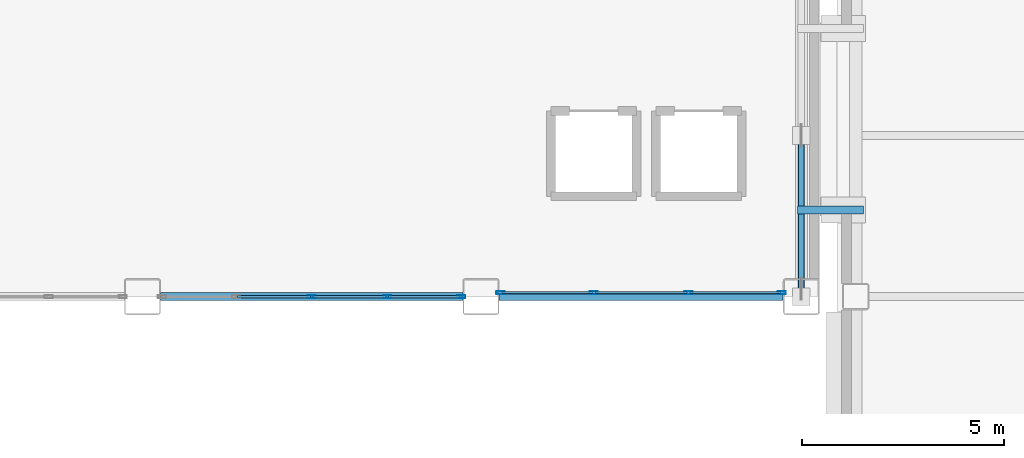
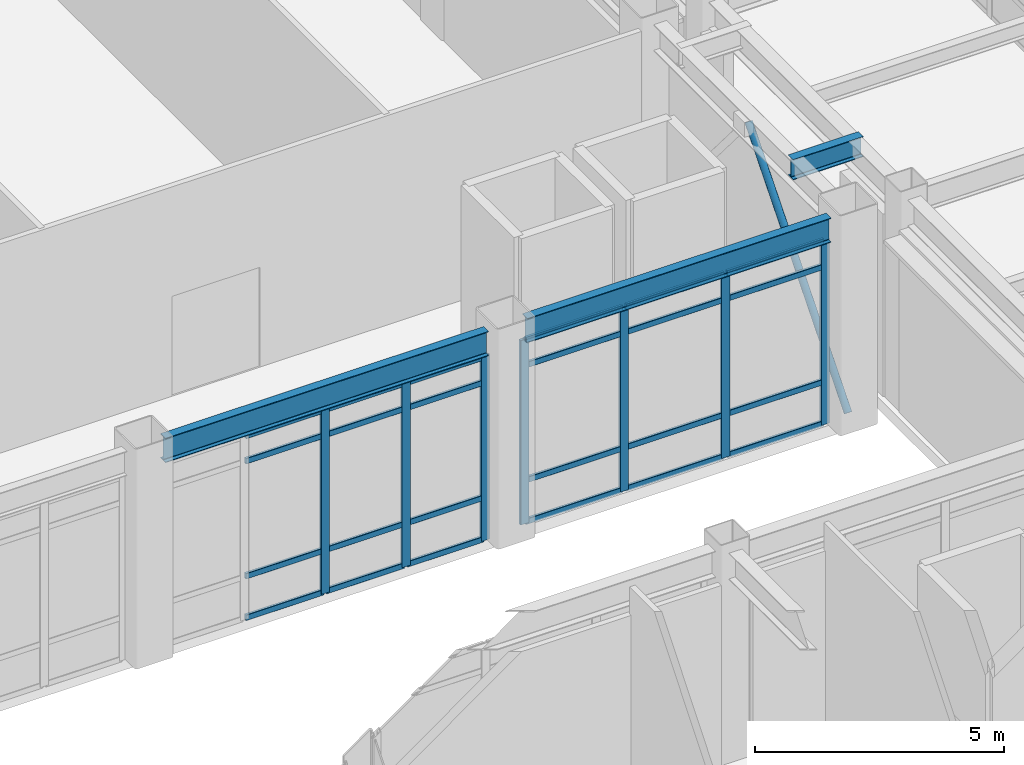
# One storey, part 32 of 165: 32 members, 3 beams, 2 elements without a shape of their own.
"""IFC4 building model written with IfcOpenShell, lengths in metres."""

import ifcopenshell
import ifcopenshell.guid

model = None  # the IFC model being written
_history = None  # IfcOwnerHistory: only IFC2X3 demands one
_inside = {}  # id of a spatial element -> (the spatial element, [elements in it])
_under = {}  # id of a project, library or spatial element -> (it, [spatial elements below it])
_declared = {}  # id of a project -> (the project, [libraries it declares])
_typed = {}  # id of a type object -> (the type object, [elements of that type])
_made_of = {}  # id of a material, layer set ... -> (it, [elements and type objects made of it])


def new_model(schema):
    """Start an empty IFC model of exactly this schema.

    Asked for "IFC4X3", IfcOpenShell would pick the latest addendum, in which some entities
    have other attributes; the version numbers below select the first issue.
    IFC2X3 requires an IfcOwnerHistory on every rooted entity: one is made here for all.
    """
    global model, _history
    if schema == "IFC4X3":
        model = ifcopenshell.file(schema_version=(4, 3, 0, 0))
    else:
        model = ifcopenshell.file(schema=schema)
    _inside.clear()
    _under.clear()
    _declared.clear()
    _typed.clear()
    _made_of.clear()
    _history = None
    if model.schema == "IFC2X3":
        org = make("IfcOrganization", Name="unknown")
        user = make(
            "IfcPersonAndOrganization",
            ThePerson=make("IfcPerson", FamilyName="unknown"),
            TheOrganization=org,
        )
        app = make(
            "IfcApplication",
            ApplicationDeveloper=org,
            Version="unknown",
            ApplicationFullName="unknown",
            ApplicationIdentifier="unknown",
        )
        _history = make(
            "IfcOwnerHistory",
            OwningUser=user,
            OwningApplication=app,
            ChangeAction="ADDED",
            CreationDate=0,
        )
    return model


def make(cls, **values):
    """One entity of the class cls with the attributes given. An attribute that is None is left unset."""
    return model.create_entity(
        cls, **{name: value for name, value in values.items() if value is not None}
    )


def rooted(cls, **values):
    """An entity with a GlobalId (a new one), such as an element, a storey or a relation."""
    return make(cls, GlobalId=ifcopenshell.guid.new(), OwnerHistory=_history, **values)


def si_unit(unit_type, name, prefix=None):
    """IfcSIUnit, for example si_unit("LENGTHUNIT", "METRE", prefix="MILLI")."""
    return make("IfcSIUnit", UnitType=unit_type, Prefix=prefix, Name=name)


def assignment(units):
    """IfcUnitAssignment: the units of a project."""
    return None if units is None else make("IfcUnitAssignment", Units=units)


def point(xyz):
    """IfcCartesianPoint."""
    return None if xyz is None else make("IfcCartesianPoint", Coordinates=xyz)


def direction(xyz):
    """IfcDirection."""
    return None if xyz is None else make("IfcDirection", DirectionRatios=xyz)


def frame(location, z_axis=None, x_axis=None):
    """IfcAxis2Placement3D, a coordinate frame: its origin and axes. An axis left out is left unset."""
    return make(
        "IfcAxis2Placement3D",
        Location=point(location),
        Axis=direction(z_axis),
        RefDirection=direction(x_axis),
    )


def frame_2d(location, x_axis=None):
    """IfcAxis2Placement2D, a coordinate frame in the plane: its origin and x axis."""
    return make(
        "IfcAxis2Placement2D", Location=point(location), RefDirection=direction(x_axis)
    )


def origin():
    """The frame at (0, 0, 0) with its axes left unset."""
    return frame((0.0, 0.0, 0.0))


def origin_2d():
    """The frame at (0, 0) in the plane with its x axis left unset."""
    return frame_2d((0.0, 0.0))


def place(relative_to, where):
    """IfcLocalPlacement: puts the frame where relative to a parent placement (None: the world)."""
    return make(
        "IfcLocalPlacement", PlacementRelTo=relative_to, RelativePlacement=where
    )


def context(
    kind, dimensions, precision=None, world=None, true_north=None, identifier=None
):
    """IfcGeometricRepresentationContext, for example the 3D "Model" context."""
    return make(
        "IfcGeometricRepresentationContext",
        ContextIdentifier=identifier,
        ContextType=kind,
        CoordinateSpaceDimension=dimensions,
        Precision=precision,
        WorldCoordinateSystem=world,
        TrueNorth=true_north,
    )


def subcontext(parent, identifier, kind, view, scale=None):
    """IfcGeometricRepresentationSubContext, for example "Body" below "Model"."""
    return make(
        "IfcGeometricRepresentationSubContext",
        ContextIdentifier=identifier,
        ContextType=kind,
        ParentContext=parent,
        TargetScale=scale,
        TargetView=view,
    )


def project(units=None, contexts=None):
    """IfcProject with its units and contexts."""
    return rooted(
        "IfcProject",
        Name="project",
        RepresentationContexts=contexts,
        UnitsInContext=assignment(units),
    )


def spatial(cls, under=None, at=None, **own):
    """A site, building, storey or space (cls), placed at a placement, below another one or the project."""
    s = rooted(cls, ObjectPlacement=at, **own)
    if under is not None:
        _under.setdefault(under.id(), (under, []))[1].append(s)
    return s


def profile(cls, at=None, kind="AREA", **sizes):
    """A parametric profile (cls). Its sizes go by their IFC names, for example OverallWidth=200.0."""
    return make(cls, ProfileType=kind, Position=at, **sizes)


def hollow_rectangle(**sizes):
    """IfcRectangleHollowProfileDef."""
    return profile("IfcRectangleHollowProfileDef", **sizes)


def hollow_circle(**sizes):
    """IfcCircleHollowProfileDef."""
    return profile("IfcCircleHollowProfileDef", **sizes)


def i_section(**sizes):
    """IfcIShapeProfileDef."""
    return profile("IfcIShapeProfileDef", **sizes)


def extrude(swept, where, along, depth):
    """IfcExtrudedAreaSolid: the profile swept, set in the frame where, extruded along a direction by depth."""
    return make(
        "IfcExtrudedAreaSolid",
        SweptArea=swept,
        Position=where,
        ExtrudedDirection=direction(along),
        Depth=depth,
    )


def shape(context_of_items, identifier, shape_type, items):
    """IfcShapeRepresentation: the items that make up one representation, for example the "Body"."""
    return make(
        "IfcShapeRepresentation",
        ContextOfItems=context_of_items,
        RepresentationIdentifier=identifier,
        RepresentationType=shape_type,
        Items=items,
    )


def material(Name=None, Category=None):
    """IfcMaterial."""
    return make("IfcMaterial", Name=Name, Category=Category)


def layer(
    of_material, thickness, ventilated=None, Name=None, Category=None, Priority=None
):
    """IfcMaterialLayer: one layer of a wall or slab, of a material (None: an air gap)."""
    return make(
        "IfcMaterialLayer",
        Material=of_material,
        LayerThickness=thickness,
        IsVentilated=ventilated,
        Name=Name,
        Category=Category,
        Priority=Priority,
    )


def layer_set(layers, Name=None):
    """IfcMaterialLayerSet."""
    return make("IfcMaterialLayerSet", MaterialLayers=layers, LayerSetName=Name)


def material_profile(
    of_material, cross_section, Name=None, Category=None, Priority=None
):
    """IfcMaterialProfile: a cross section and its material."""
    return make(
        "IfcMaterialProfile",
        Name=Name,
        Material=of_material,
        Profile=cross_section,
        Priority=Priority,
        Category=Category,
    )


def profile_set(profiles, Name=None, composite=None):
    """IfcMaterialProfileSet."""
    return make(
        "IfcMaterialProfileSet",
        Name=Name,
        MaterialProfiles=profiles,
        CompositeProfile=composite,
    )


def made_of(thing, what):
    """Note that an element or type object is made of a material, layer set ...; save() writes the relation."""
    if what is not None:
        _made_of.setdefault(what.id(), (what, []))[1].append(thing)
    return thing


def type_object(cls, material=None, **own):
    """A type object (cls), such as IfcWallType, which elements share."""
    return made_of(rooted(cls, **own), material)


def element(
    cls,
    number,
    at=None,
    inside=None,
    cuts=None,
    type_object=None,
    material=None,
    context=None,
    identifier="Body",
    shape_type=None,
    held_by="IfcProductDefinitionShape",
    body=None,
    shapes=None,
    **own,
):
    """One element of the class cls, such as IfcWall. Its Tag is "e" and its number.

    at: its placement. inside: the storey or other place that contains it. cuts: it is an
    opening in that element (IfcRelVoidsElement). A single representation is given by context,
    identifier, shape_type and body (its items); several are given by shapes. held_by: the class
    of the entity that holds the representations. save() writes the other relations.
    """
    e = rooted(cls, Tag="e%d" % number, ObjectPlacement=at, **own)
    if body is not None:
        shapes = [shape(context, identifier, shape_type, body)]
    if shapes is not None:
        e.Representation = make(held_by, Representations=shapes)
    if inside is not None:
        _inside.setdefault(inside.id(), (inside, []))[1].append(e)
    if cuts is not None:
        rooted(
            "IfcRelVoidsElement", RelatingBuildingElement=cuts, RelatedOpeningElement=e
        )
    if type_object is not None:
        _typed.setdefault(type_object.id(), (type_object, []))[1].append(e)
    return made_of(e, material)


def aggregate(whole, parts):
    """IfcRelAggregates: a whole, such as a stair, and the parts it consists of."""
    return rooted("IfcRelAggregates", RelatingObject=whole, RelatedObjects=parts)


def save(model, path):
    """Write the relations noted so far, then the file.

    IfcRelAggregates (storeys below a building ...), IfcRelContainedInSpatialStructure (elements
    in a storey), IfcRelDefinesByType, IfcRelAssociatesMaterial and IfcRelDeclares: one each for
    every whole, place, type object, material and project.
    """
    for whole, parts in _under.values():
        aggregate(whole, parts)
    for where, things in _inside.values():
        rooted(
            "IfcRelContainedInSpatialStructure",
            RelatedElements=things,
            RelatingStructure=where,
        )
    for kind, things in _typed.values():
        rooted("IfcRelDefinesByType", RelatedObjects=things, RelatingType=kind)
    for what, things in _made_of.values():
        rooted("IfcRelAssociatesMaterial", RelatedObjects=things, RelatingMaterial=what)
    for by, libraries in _declared.values():
        rooted("IfcRelDeclares", RelatingContext=by, RelatedDefinitions=libraries)
    model.write(path)


model = new_model("IFC4")

# Units and contexts
model_context = context("Model", 3, precision=1e-05, world=origin(), true_north=direction((0.0, 1.0)))
body_context = subcontext(model_context, "Body", "Model", "MODEL_VIEW")
ifc_project = project(units=[si_unit("LENGTHUNIT", "METRE"), si_unit("AREAUNIT", "SQUARE_METRE"), si_unit("VOLUMEUNIT", "CUBIC_METRE"), si_unit("PLANEANGLEUNIT", "RADIAN"), si_unit("MASSUNIT", "GRAM", prefix="KILO")], contexts=[model_context])

# Site, building, storey
site_placement = place(None, origin())
site = spatial("IfcSite", under=ifc_project, at=site_placement, CompositionType="ELEMENT")
building_placement = place(site_placement, origin())
building = spatial("IfcBuilding", under=site, at=building_placement, Name="Kazehara Bluff Congress Hotel", CompositionType="ELEMENT")
storey_placement = place(building_placement, origin())
storey = spatial("IfcBuildingStorey", under=building, at=storey_placement, Name="L00", CompositionType="ELEMENT", Elevation=0.0)

# Member
ifc_material_1 = material(Name="Steel STK490", Category="steel")
ifc_material_profile_1 = material_profile(ifc_material_1, hollow_circle(Radius=0.08251953125, WallThickness=0.007080078125, at=origin_2d()))
ifc_profile_set_1 = profile_set([ifc_material_profile_1], Name="Steel STK490")
member_type_1 = type_object("IfcMemberType", Name="TP-BR-02", PredefinedType="BRACE", material=ifc_profile_set_1)
member_1_placement = place(storey_placement, frame((58.35009765625, 48.449951171875, 0.14990234375), z_axis=(0.0, 0.6461154702, 0.763239673477), x_axis=(-1.0, 0.0, 0.0)))
element("IfcMember", 1, at=member_1_placement, inside=storey, type_object=member_type_1, Name="L00 chevron brace BR-02 5", PredefinedType="BRACE", context=body_context, shape_type="SweptSolid", body=[
    extrude(hollow_circle(Radius=0.08251953125, WallThickness=0.007080078125, at=origin_2d()), origin(), (0.0, 0.0, 1.0), 6.19091796875),
])

# Curtain wall, members
ifc_material_2 = material(Name="Anodised aluminium", Category="aluminium")
ifc_layer_1 = layer(ifc_material_2, 0.159912109375)
ifc_layer_set_1 = layer_set([ifc_layer_1], Name="Anodised aluminium")
curtain_wall_type_1 = type_object("IfcCurtainWallType", Name="TP-CW-16", PredefinedType="NOTDEFINED", material=ifc_layer_set_1)
curtain_wall_1_placement = place(storey_placement, origin())
curtain_wall_1 = element("IfcCurtainWall", 2, at=curtain_wall_1_placement, inside=storey, type_object=curtain_wall_type_1, Name="L00 curtain wall CW-16 CW-V1-L00-Y4845-4245", PredefinedType="NOTDEFINED")
ifc_material_3 = material(Name="Anodised aluminium", Category="aluminium")
ifc_material_profile_2 = material_profile(ifc_material_3, hollow_rectangle(XDim=0.070068359375, YDim=0.199951171875, WallThickness=0.0048828125, InnerFilletRadius=0.0048828125, OuterFilletRadius=0.010009765625, at=origin_2d()))
ifc_profile_set_2 = profile_set([ifc_material_profile_2], Name="Anodised aluminium")
member_type_2 = type_object("IfcMemberType", Name="TP-CWM-03", PredefinedType="MULLION", material=ifc_profile_set_2)
member_2_placement = place(storey_placement, frame((46.199951171875, 48.449951171875, 0.0), z_axis=(0.0, 0.0, 1.0), x_axis=(0.0, 1.0, 0.0)))
member_2 = element("IfcMember", 3, at=member_2_placement, type_object=member_type_2, Name="CW-16 mullion 3", PredefinedType="MULLION", context=body_context, shape_type="SweptSolid", body=[
    extrude(hollow_rectangle(XDim=0.070068359375, YDim=0.199951171875, WallThickness=0.0048828125, InnerFilletRadius=0.0048828125, OuterFilletRadius=0.010009765625, at=origin_2d()), origin(), (0.0, 0.0, 1.0), 4.52490234375),
])
member_3_placement = place(storey_placement, frame((48.074951171875, 48.449951171875, 0.0), z_axis=(0.0, 0.0, 1.0), x_axis=(0.0, 1.0, 0.0)))
member_3 = element("IfcMember", 4, at=member_3_placement, type_object=member_type_2, Name="CW-16 mullion 4", PredefinedType="MULLION", context=body_context, shape_type="SweptSolid", body=[
    extrude(hollow_rectangle(XDim=0.070068359375, YDim=0.199951171875, WallThickness=0.0048828125, InnerFilletRadius=0.0048828125, OuterFilletRadius=0.010009765625, at=origin_2d()), origin(), (0.0, 0.0, 1.0), 4.52490234375),
])
member_4_placement = place(storey_placement, frame((49.9150390625, 48.449951171875, 0.0), z_axis=(0.0, 0.0, 1.0), x_axis=(0.0, 1.0, 0.0)))
member_4 = element("IfcMember", 5, at=member_4_placement, type_object=member_type_2, Name="CW-16 mullion 5", PredefinedType="MULLION", context=body_context, shape_type="SweptSolid", body=[
    extrude(hollow_rectangle(XDim=0.070068359375, YDim=0.199951171875, WallThickness=0.0048828125, InnerFilletRadius=0.0048828125, OuterFilletRadius=0.010009765625, at=origin_2d()), origin(), (0.0, 0.0, 1.0), 4.52490234375),
])

ifc_material_4 = material(Name="Anodised aluminium", Category="aluminium")
ifc_layer_2 = layer(ifc_material_4, 0.159912109375)
ifc_layer_set_2 = layer_set([ifc_layer_2], Name="Anodised aluminium")
curtain_wall_type_2 = type_object("IfcCurtainWallType", Name="TP-CW-96", PredefinedType="NOTDEFINED", material=ifc_layer_set_2)
curtain_wall_2_placement = place(storey_placement, origin())
curtain_wall_2 = element("IfcCurtainWall", 6, at=curtain_wall_2_placement, inside=storey, type_object=curtain_wall_type_2, Name="L00 curtain wall CW-96 CW-ENC-V1-L00-5438-4855", PredefinedType="NOTDEFINED")
member_5_placement = place(storey_placement, frame((57.864990234375, 48.550048828125, 0.0), z_axis=(0.0, 0.0, 1.0), x_axis=(0.0, -1.0, 0.0)))
member_5 = element("IfcMember", 7, at=member_5_placement, type_object=member_type_2, Name="CW-96 mullion 1", PredefinedType="MULLION", context=body_context, shape_type="SweptSolid", body=[
    extrude(hollow_rectangle(XDim=0.070068359375, YDim=0.199951171875, WallThickness=0.0048828125, InnerFilletRadius=0.0048828125, OuterFilletRadius=0.010009765625, at=origin_2d()), origin(), (0.0, 0.0, 1.0), 4.52490234375),
])
member_6_placement = place(storey_placement, frame((55.550048828125, 48.550048828125, 0.0), z_axis=(0.0, 0.0, 1.0), x_axis=(0.0, -1.0, 0.0)))
member_6 = element("IfcMember", 8, at=member_6_placement, type_object=member_type_2, Name="CW-96 mullion 2", PredefinedType="MULLION", context=body_context, shape_type="SweptSolid", body=[
    extrude(hollow_rectangle(XDim=0.070068359375, YDim=0.199951171875, WallThickness=0.0048828125, InnerFilletRadius=0.0048828125, OuterFilletRadius=0.010009765625, at=origin_2d()), origin(), (0.0, 0.0, 1.0), 4.52490234375),
])
member_7_placement = place(storey_placement, frame((53.199951171875, 48.550048828125, 0.0), z_axis=(0.0, 0.0, 1.0), x_axis=(0.0, -1.0, 0.0)))
member_7 = element("IfcMember", 9, at=member_7_placement, type_object=member_type_2, Name="CW-96 mullion 3", PredefinedType="MULLION", context=body_context, shape_type="SweptSolid", body=[
    extrude(hollow_rectangle(XDim=0.070068359375, YDim=0.199951171875, WallThickness=0.0048828125, InnerFilletRadius=0.0048828125, OuterFilletRadius=0.010009765625, at=origin_2d()), origin(), (0.0, 0.0, 1.0), 4.52490234375),
])
member_8_placement = place(storey_placement, frame((50.885009765625, 48.550048828125, 0.0), z_axis=(0.0, 0.0, 1.0), x_axis=(0.0, -1.0, 0.0)))
member_8 = element("IfcMember", 10, at=member_8_placement, type_object=member_type_2, Name="CW-96 mullion 4", PredefinedType="MULLION", context=body_context, shape_type="SweptSolid", body=[
    extrude(hollow_rectangle(XDim=0.070068359375, YDim=0.199951171875, WallThickness=0.0048828125, InnerFilletRadius=0.0048828125, OuterFilletRadius=0.010009765625, at=origin_2d()), origin(), (0.0, 0.0, 1.0), 4.52490234375),
])

# Member
ifc_material_5 = material(Name="Anodised aluminium", Category="aluminium")
ifc_material_profile_3 = material_profile(ifc_material_5, hollow_rectangle(XDim=0.06494140625, YDim=0.139892578125, WallThickness=0.00390625, InnerFilletRadius=0.00390625, OuterFilletRadius=0.008056640625, at=origin_2d()))
ifc_profile_set_3 = profile_set([ifc_material_profile_3], Name="Anodised aluminium")
member_type_3 = type_object("IfcMemberType", Name="TP-CWT-02", PredefinedType="USERDEFINED", material=ifc_profile_set_3)
member_9_placement = place(storey_placement, frame((44.360107421875, 48.449951171875, 0.032470703125), z_axis=(1.0, 0.0, 0.0), x_axis=(0.0, 1.0, 0.0)))
member_9 = element("IfcMember", 11, at=member_9_placement, type_object=member_type_3, Name="CW-16 transom 2.1", ObjectType="TRANSOM", PredefinedType="USERDEFINED", context=body_context, shape_type="SweptSolid", body=[
    extrude(hollow_rectangle(XDim=0.06494140625, YDim=0.139892578125, WallThickness=0.00390625, InnerFilletRadius=0.00390625, OuterFilletRadius=0.008056640625, at=origin_2d()), origin(), (0.0, 0.0, 1.0), 1.804931640625),
])

member_10_placement = place(storey_placement, frame((44.360107421875, 48.449951171875, 1.050048828125), z_axis=(1.0, 0.0, 0.0), x_axis=(0.0, 1.0, 0.0)))
member_10 = element("IfcMember", 12, at=member_10_placement, type_object=member_type_3, Name="CW-16 transom 2.2", ObjectType="TRANSOM", PredefinedType="USERDEFINED", context=body_context, shape_type="SweptSolid", body=[
    extrude(hollow_rectangle(XDim=0.06494140625, YDim=0.139892578125, WallThickness=0.00390625, InnerFilletRadius=0.00390625, OuterFilletRadius=0.008056640625, at=origin_2d()), origin(), (0.0, 0.0, 1.0), 1.804931640625),
])

member_11_placement = place(storey_placement, frame((44.360107421875, 48.449951171875, 3.875), z_axis=(1.0, 0.0, 0.0), x_axis=(0.0, 1.0, 0.0)))
member_11 = element("IfcMember", 13, at=member_11_placement, type_object=member_type_3, Name="CW-16 transom 2.3", ObjectType="TRANSOM", PredefinedType="USERDEFINED", context=body_context, shape_type="SweptSolid", body=[
    extrude(hollow_rectangle(XDim=0.06494140625, YDim=0.139892578125, WallThickness=0.00390625, InnerFilletRadius=0.00390625, OuterFilletRadius=0.008056640625, at=origin_2d()), origin(), (0.0, 0.0, 1.0), 1.804931640625),
])

member_12_placement = place(storey_placement, frame((44.360107421875, 48.449951171875, 4.492431640625), z_axis=(1.0, 0.0, 0.0), x_axis=(0.0, 1.0, 0.0)))
member_12 = element("IfcMember", 14, at=member_12_placement, type_object=member_type_3, Name="CW-16 transom 2.4", ObjectType="TRANSOM", PredefinedType="USERDEFINED", context=body_context, shape_type="SweptSolid", body=[
    extrude(hollow_rectangle(XDim=0.06494140625, YDim=0.139892578125, WallThickness=0.00390625, InnerFilletRadius=0.00390625, OuterFilletRadius=0.008056640625, at=origin_2d()), origin(), (0.0, 0.0, 1.0), 1.804931640625),
])

member_13_placement = place(storey_placement, frame((46.235107421875, 48.449951171875, 0.032470703125), z_axis=(1.0, 0.0, 0.0), x_axis=(0.0, 1.0, 0.0)))
member_13 = element("IfcMember", 15, at=member_13_placement, type_object=member_type_3, Name="CW-16 transom 3.1", ObjectType="TRANSOM", PredefinedType="USERDEFINED", context=body_context, shape_type="SweptSolid", body=[
    extrude(hollow_rectangle(XDim=0.06494140625, YDim=0.139892578125, WallThickness=0.00390625, InnerFilletRadius=0.00390625, OuterFilletRadius=0.008056640625, at=origin_2d()), origin(), (0.0, 0.0, 1.0), 1.804931640625),
])

member_14_placement = place(storey_placement, frame((46.235107421875, 48.449951171875, 1.050048828125), z_axis=(1.0, 0.0, 0.0), x_axis=(0.0, 1.0, 0.0)))
member_14 = element("IfcMember", 16, at=member_14_placement, type_object=member_type_3, Name="CW-16 transom 3.2", ObjectType="TRANSOM", PredefinedType="USERDEFINED", context=body_context, shape_type="SweptSolid", body=[
    extrude(hollow_rectangle(XDim=0.06494140625, YDim=0.139892578125, WallThickness=0.00390625, InnerFilletRadius=0.00390625, OuterFilletRadius=0.008056640625, at=origin_2d()), origin(), (0.0, 0.0, 1.0), 1.804931640625),
])

member_15_placement = place(storey_placement, frame((46.235107421875, 48.449951171875, 3.875), z_axis=(1.0, 0.0, 0.0), x_axis=(0.0, 1.0, 0.0)))
member_15 = element("IfcMember", 17, at=member_15_placement, type_object=member_type_3, Name="CW-16 transom 3.3", ObjectType="TRANSOM", PredefinedType="USERDEFINED", context=body_context, shape_type="SweptSolid", body=[
    extrude(hollow_rectangle(XDim=0.06494140625, YDim=0.139892578125, WallThickness=0.00390625, InnerFilletRadius=0.00390625, OuterFilletRadius=0.008056640625, at=origin_2d()), origin(), (0.0, 0.0, 1.0), 1.804931640625),
])

member_16_placement = place(storey_placement, frame((46.235107421875, 48.449951171875, 4.492431640625), z_axis=(1.0, 0.0, 0.0), x_axis=(0.0, 1.0, 0.0)))
member_16 = element("IfcMember", 18, at=member_16_placement, type_object=member_type_3, Name="CW-16 transom 3.4", ObjectType="TRANSOM", PredefinedType="USERDEFINED", context=body_context, shape_type="SweptSolid", body=[
    extrude(hollow_rectangle(XDim=0.06494140625, YDim=0.139892578125, WallThickness=0.00390625, InnerFilletRadius=0.00390625, OuterFilletRadius=0.008056640625, at=origin_2d()), origin(), (0.0, 0.0, 1.0), 1.804931640625),
])

member_17_placement = place(storey_placement, frame((48.110107421875, 48.449951171875, 0.032470703125), z_axis=(1.0, 0.0, 0.0), x_axis=(0.0, 1.0, 0.0)))
member_17 = element("IfcMember", 19, at=member_17_placement, type_object=member_type_3, Name="CW-16 transom 4.1", ObjectType="TRANSOM", PredefinedType="USERDEFINED", context=body_context, shape_type="SweptSolid", body=[
    extrude(hollow_rectangle(XDim=0.06494140625, YDim=0.139892578125, WallThickness=0.00390625, InnerFilletRadius=0.00390625, OuterFilletRadius=0.008056640625, at=origin_2d()), origin(), (0.0, 0.0, 1.0), 1.769775390625),
])

member_18_placement = place(storey_placement, frame((48.110107421875, 48.449951171875, 1.050048828125), z_axis=(1.0, 0.0, 0.0), x_axis=(0.0, 1.0, 0.0)))
member_18 = element("IfcMember", 20, at=member_18_placement, type_object=member_type_3, Name="CW-16 transom 4.2", ObjectType="TRANSOM", PredefinedType="USERDEFINED", context=body_context, shape_type="SweptSolid", body=[
    extrude(hollow_rectangle(XDim=0.06494140625, YDim=0.139892578125, WallThickness=0.00390625, InnerFilletRadius=0.00390625, OuterFilletRadius=0.008056640625, at=origin_2d()), origin(), (0.0, 0.0, 1.0), 1.769775390625),
])

member_19_placement = place(storey_placement, frame((48.110107421875, 48.449951171875, 3.875), z_axis=(1.0, 0.0, 0.0), x_axis=(0.0, 1.0, 0.0)))
member_19 = element("IfcMember", 21, at=member_19_placement, type_object=member_type_3, Name="CW-16 transom 4.3", ObjectType="TRANSOM", PredefinedType="USERDEFINED", context=body_context, shape_type="SweptSolid", body=[
    extrude(hollow_rectangle(XDim=0.06494140625, YDim=0.139892578125, WallThickness=0.00390625, InnerFilletRadius=0.00390625, OuterFilletRadius=0.008056640625, at=origin_2d()), origin(), (0.0, 0.0, 1.0), 1.769775390625),
])

member_20_placement = place(storey_placement, frame((48.110107421875, 48.449951171875, 4.492431640625), z_axis=(1.0, 0.0, 0.0), x_axis=(0.0, 1.0, 0.0)))
member_20 = element("IfcMember", 22, at=member_20_placement, type_object=member_type_3, Name="CW-16 transom 4.4", ObjectType="TRANSOM", PredefinedType="USERDEFINED", context=body_context, shape_type="SweptSolid", body=[
    extrude(hollow_rectangle(XDim=0.06494140625, YDim=0.139892578125, WallThickness=0.00390625, InnerFilletRadius=0.00390625, OuterFilletRadius=0.008056640625, at=origin_2d()), origin(), (0.0, 0.0, 1.0), 1.769775390625),
])

aggregate(curtain_wall_1, [member_2, member_3, member_4, member_9, member_10, member_11, member_12, member_13, member_14, member_15, member_16, member_17, member_18, member_19, member_20])

member_21_placement = place(storey_placement, frame((57.830078125, 48.550048828125, 0.032470703125), z_axis=(-1.0, 0.0, 0.0), x_axis=(0.0, -1.0, 0.0)))
member_21 = element("IfcMember", 23, at=member_21_placement, type_object=member_type_3, Name="CW-96 transom 1.1", ObjectType="TRANSOM", PredefinedType="USERDEFINED", context=body_context, shape_type="SweptSolid", body=[
    extrude(hollow_rectangle(XDim=0.06494140625, YDim=0.139892578125, WallThickness=0.00390625, InnerFilletRadius=0.00390625, OuterFilletRadius=0.008056640625, at=origin_2d()), origin(), (0.0, 0.0, 1.0), 2.2451171875),
])

member_22_placement = place(storey_placement, frame((57.830078125, 48.550048828125, 1.050048828125), z_axis=(-1.0, 0.0, 0.0), x_axis=(0.0, -1.0, 0.0)))
member_22 = element("IfcMember", 24, at=member_22_placement, type_object=member_type_3, Name="CW-96 transom 1.2", ObjectType="TRANSOM", PredefinedType="USERDEFINED", context=body_context, shape_type="SweptSolid", body=[
    extrude(hollow_rectangle(XDim=0.06494140625, YDim=0.139892578125, WallThickness=0.00390625, InnerFilletRadius=0.00390625, OuterFilletRadius=0.008056640625, at=origin_2d()), origin(), (0.0, 0.0, 1.0), 2.2451171875),
])

member_23_placement = place(storey_placement, frame((57.830078125, 48.550048828125, 3.875), z_axis=(-1.0, 0.0, 0.0), x_axis=(0.0, -1.0, 0.0)))
member_23 = element("IfcMember", 25, at=member_23_placement, type_object=member_type_3, Name="CW-96 transom 1.3", ObjectType="TRANSOM", PredefinedType="USERDEFINED", context=body_context, shape_type="SweptSolid", body=[
    extrude(hollow_rectangle(XDim=0.06494140625, YDim=0.139892578125, WallThickness=0.00390625, InnerFilletRadius=0.00390625, OuterFilletRadius=0.008056640625, at=origin_2d()), origin(), (0.0, 0.0, 1.0), 2.2451171875),
])

member_24_placement = place(storey_placement, frame((57.830078125, 48.550048828125, 4.492431640625), z_axis=(-1.0, 0.0, 0.0), x_axis=(0.0, -1.0, 0.0)))
member_24 = element("IfcMember", 26, at=member_24_placement, type_object=member_type_3, Name="CW-96 transom 1.4", ObjectType="TRANSOM", PredefinedType="USERDEFINED", context=body_context, shape_type="SweptSolid", body=[
    extrude(hollow_rectangle(XDim=0.06494140625, YDim=0.139892578125, WallThickness=0.00390625, InnerFilletRadius=0.00390625, OuterFilletRadius=0.008056640625, at=origin_2d()), origin(), (0.0, 0.0, 1.0), 2.2451171875),
])

member_25_placement = place(storey_placement, frame((55.514892578125, 48.550048828125, 0.032470703125), z_axis=(-1.0, 0.0, 0.0), x_axis=(0.0, -1.0, 0.0)))
member_25 = element("IfcMember", 27, at=member_25_placement, type_object=member_type_3, Name="CW-96 transom 2.1", ObjectType="TRANSOM", PredefinedType="USERDEFINED", context=body_context, shape_type="SweptSolid", body=[
    extrude(hollow_rectangle(XDim=0.06494140625, YDim=0.139892578125, WallThickness=0.00390625, InnerFilletRadius=0.00390625, OuterFilletRadius=0.008056640625, at=origin_2d()), origin(), (0.0, 0.0, 1.0), 2.27978515625),
])

member_26_placement = place(storey_placement, frame((55.514892578125, 48.550048828125, 1.050048828125), z_axis=(-1.0, 0.0, 0.0), x_axis=(0.0, -1.0, 0.0)))
member_26 = element("IfcMember", 28, at=member_26_placement, type_object=member_type_3, Name="CW-96 transom 2.2", ObjectType="TRANSOM", PredefinedType="USERDEFINED", context=body_context, shape_type="SweptSolid", body=[
    extrude(hollow_rectangle(XDim=0.06494140625, YDim=0.139892578125, WallThickness=0.00390625, InnerFilletRadius=0.00390625, OuterFilletRadius=0.008056640625, at=origin_2d()), origin(), (0.0, 0.0, 1.0), 2.27978515625),
])

member_27_placement = place(storey_placement, frame((55.514892578125, 48.550048828125, 3.875), z_axis=(-1.0, 0.0, 0.0), x_axis=(0.0, -1.0, 0.0)))
member_27 = element("IfcMember", 29, at=member_27_placement, type_object=member_type_3, Name="CW-96 transom 2.3", ObjectType="TRANSOM", PredefinedType="USERDEFINED", context=body_context, shape_type="SweptSolid", body=[
    extrude(hollow_rectangle(XDim=0.06494140625, YDim=0.139892578125, WallThickness=0.00390625, InnerFilletRadius=0.00390625, OuterFilletRadius=0.008056640625, at=origin_2d()), origin(), (0.0, 0.0, 1.0), 2.27978515625),
])

member_28_placement = place(storey_placement, frame((55.514892578125, 48.550048828125, 4.492431640625), z_axis=(-1.0, 0.0, 0.0), x_axis=(0.0, -1.0, 0.0)))
member_28 = element("IfcMember", 30, at=member_28_placement, type_object=member_type_3, Name="CW-96 transom 2.4", ObjectType="TRANSOM", PredefinedType="USERDEFINED", context=body_context, shape_type="SweptSolid", body=[
    extrude(hollow_rectangle(XDim=0.06494140625, YDim=0.139892578125, WallThickness=0.00390625, InnerFilletRadius=0.00390625, OuterFilletRadius=0.008056640625, at=origin_2d()), origin(), (0.0, 0.0, 1.0), 2.27978515625),
])

member_29_placement = place(storey_placement, frame((53.1650390625, 48.550048828125, 0.032470703125), z_axis=(-1.0, 0.0, 0.0), x_axis=(0.0, -1.0, 0.0)))
member_29 = element("IfcMember", 31, at=member_29_placement, type_object=member_type_3, Name="CW-96 transom 3.1", ObjectType="TRANSOM", PredefinedType="USERDEFINED", context=body_context, shape_type="SweptSolid", body=[
    extrude(hollow_rectangle(XDim=0.06494140625, YDim=0.139892578125, WallThickness=0.00390625, InnerFilletRadius=0.00390625, OuterFilletRadius=0.008056640625, at=origin_2d()), origin(), (0.0, 0.0, 1.0), 2.2451171875),
])

member_30_placement = place(storey_placement, frame((53.1650390625, 48.550048828125, 1.050048828125), z_axis=(-1.0, 0.0, 0.0), x_axis=(0.0, -1.0, 0.0)))
member_30 = element("IfcMember", 32, at=member_30_placement, type_object=member_type_3, Name="CW-96 transom 3.2", ObjectType="TRANSOM", PredefinedType="USERDEFINED", context=body_context, shape_type="SweptSolid", body=[
    extrude(hollow_rectangle(XDim=0.06494140625, YDim=0.139892578125, WallThickness=0.00390625, InnerFilletRadius=0.00390625, OuterFilletRadius=0.008056640625, at=origin_2d()), origin(), (0.0, 0.0, 1.0), 2.2451171875),
])

member_31_placement = place(storey_placement, frame((53.1650390625, 48.550048828125, 3.875), z_axis=(-1.0, 0.0, 0.0), x_axis=(0.0, -1.0, 0.0)))
member_31 = element("IfcMember", 33, at=member_31_placement, type_object=member_type_3, Name="CW-96 transom 3.3", ObjectType="TRANSOM", PredefinedType="USERDEFINED", context=body_context, shape_type="SweptSolid", body=[
    extrude(hollow_rectangle(XDim=0.06494140625, YDim=0.139892578125, WallThickness=0.00390625, InnerFilletRadius=0.00390625, OuterFilletRadius=0.008056640625, at=origin_2d()), origin(), (0.0, 0.0, 1.0), 2.2451171875),
])

member_32_placement = place(storey_placement, frame((53.1650390625, 48.550048828125, 4.492431640625), z_axis=(-1.0, 0.0, 0.0), x_axis=(0.0, -1.0, 0.0)))
member_32 = element("IfcMember", 34, at=member_32_placement, type_object=member_type_3, Name="CW-96 transom 3.4", ObjectType="TRANSOM", PredefinedType="USERDEFINED", context=body_context, shape_type="SweptSolid", body=[
    extrude(hollow_rectangle(XDim=0.06494140625, YDim=0.139892578125, WallThickness=0.00390625, InnerFilletRadius=0.00390625, OuterFilletRadius=0.008056640625, at=origin_2d()), origin(), (0.0, 0.0, 1.0), 2.2451171875),
])

aggregate(curtain_wall_2, [member_5, member_6, member_7, member_8, member_21, member_22, member_23, member_24, member_25, member_26, member_27, member_28, member_29, member_30, member_31, member_32])

# Beams
ifc_material_6 = material(Name="Steel SN490B", Category="steel")
ifc_material_profile_4 = material_profile(ifc_material_6, i_section(OverallWidth=0.199951171875, OverallDepth=0.5, WebThickness=0.010009765625, FlangeThickness=0.01611328125, FilletRadius=0.012939453125, at=origin_2d()))
ifc_profile_set_4 = profile_set([ifc_material_profile_4], Name="Steel SN490B")
beam_type_1 = type_object("IfcBeamType", Name="TP-G-01", PredefinedType="BEAM", material=ifc_profile_set_4)
beam_1_placement = place(storey_placement, frame((58.260009765625, 50.60009765625, 4.89990234375), z_axis=(1.0, 0.0, 0.0), x_axis=(0.0, 1.0, 0.0)))
element("IfcBeam", 35, at=beam_1_placement, inside=storey, type_object=beam_type_1, Name="Bridge link beam BRG-14 L01-1", PredefinedType="BEAM", context=body_context, shape_type="SweptSolid", body=[
    extrude(i_section(OverallWidth=0.199951171875, OverallDepth=0.5, WebThickness=0.010009765625, FlangeThickness=0.01611328125, FilletRadius=0.012939453125, at=origin_2d()), origin(), (0.0, 0.0, 1.0), 1.6298828125),
])
ifc_material_7 = material(Name="Steel SN490B", Category="steel")
ifc_material_profile_5 = material_profile(ifc_material_7, i_section(OverallWidth=0.199951171875, OverallDepth=0.60009765625, WebThickness=0.010986328125, FlangeThickness=0.01708984375, FilletRadius=0.012939453125, at=origin_2d()))
ifc_profile_set_5 = profile_set([ifc_material_profile_5], Name="Steel SN490B")
beam_type_2 = type_object("IfcBeamType", Name="TP-SP-02", PredefinedType="SPANDREL", material=ifc_profile_set_5)
beam_2_placement = place(storey_placement, frame((42.449951171875, 48.449951171875, 4.85009765625), z_axis=(1.0, 0.0, 0.0), x_axis=(0.0, 1.0, 0.0)))
element("IfcBeam", 36, at=beam_2_placement, inside=storey, type_object=beam_type_2, Name="L00 girder SP-02 29", PredefinedType="SPANDREL", context=body_context, shape_type="SweptSolid", body=[
    extrude(i_section(OverallWidth=0.199951171875, OverallDepth=0.60009765625, WebThickness=0.010986328125, FlangeThickness=0.01708984375, FilletRadius=0.012939453125, at=origin_2d()), origin(), (0.0, 0.0, 1.0), 7.5),
])
beam_3_placement = place(storey_placement, frame((50.85009765625, 48.449951171875, 4.85009765625), z_axis=(1.0, 0.0, 0.0), x_axis=(0.0, 1.0, 0.0)))
element("IfcBeam", 37, at=beam_3_placement, inside=storey, type_object=beam_type_2, Name="L00 girder SP-02 30", PredefinedType="SPANDREL", context=body_context, shape_type="SweptSolid", body=[
    extrude(i_section(OverallWidth=0.199951171875, OverallDepth=0.60009765625, WebThickness=0.010986328125, FlangeThickness=0.01708984375, FilletRadius=0.012939453125, at=origin_2d()), origin(), (0.0, 0.0, 1.0), 7.0498046875),
])

save(model, "model.ifc")
